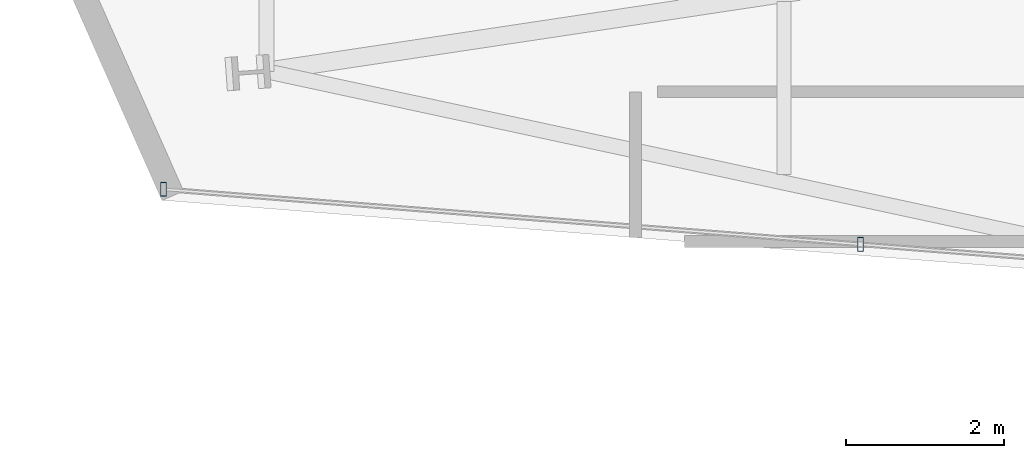
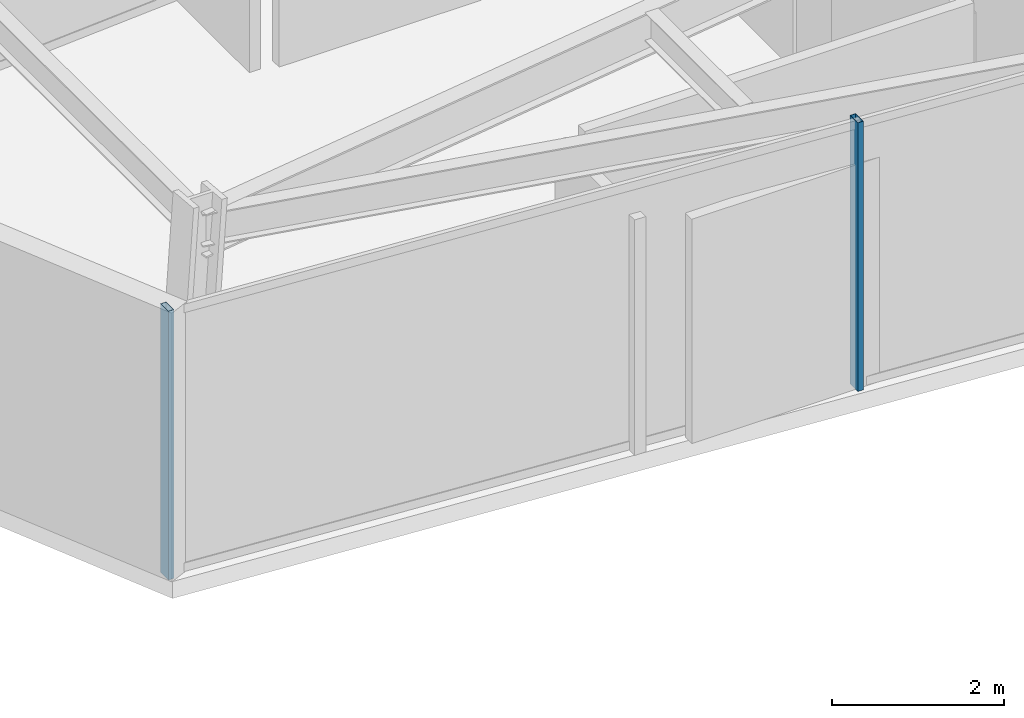
# One storey, part 2 of 25: 2 members, 1 element without a shape of its own.
"""IFC4 building model written with IfcOpenShell, lengths in metres."""

from ifc_helpers import new_model, si_unit, direction, frame, origin, origin_2d, place, context, subcontext, project, spatial, hollow_rectangle, extrude, material, layer, layer_set, material_profile, profile_set, type_object, element, aggregate, save


model = new_model("IFC4")

# Units and contexts
model_context = context("Model", 3, precision=1e-05, world=origin(), true_north=direction((0.0, 1.0)))
body_context = subcontext(model_context, "Body", "Model", "MODEL_VIEW")
ifc_project = project(units=[si_unit("LENGTHUNIT", "METRE"), si_unit("AREAUNIT", "SQUARE_METRE"), si_unit("VOLUMEUNIT", "CUBIC_METRE"), si_unit("PLANEANGLEUNIT", "RADIAN"), si_unit("MASSUNIT", "GRAM", prefix="KILO")], contexts=[model_context])

# Site, building, storey
site_placement = place(None, origin())
site = spatial("IfcSite", under=ifc_project, at=site_placement, CompositionType="ELEMENT")
building_placement = place(site_placement, origin())
building = spatial("IfcBuilding", under=site, at=building_placement, Name="Veymaron Broadcast Tower", CompositionType="ELEMENT")
storey_placement = place(building_placement, frame((0.0, 0.0, 82.35009765625)))
storey = spatial("IfcBuildingStorey", under=building, at=storey_placement, Name="L18", CompositionType="ELEMENT", Elevation=82.35009765625)

# Curtain wall, members
ifc_material_1 = material(Name="Anodised aluminium AA 6063-T6 and laminated low-E dark glass", Category="aluminium")
ifc_layer = layer(ifc_material_1, 0.179931640625)
ifc_layer_set = layer_set([ifc_layer], Name="Anodised aluminium AA 6063-T6 and laminated low-E dark glass")
curtain_wall_type = type_object("IfcCurtainWallType", Name="CW-SYS-02", PredefinedType="NOTDEFINED", material=ifc_layer_set)
curtain_wall_placement = place(storey_placement, origin())
curtain_wall = element("IfcCurtainWall", 1, at=curtain_wall_placement, inside=storey, type_object=curtain_wall_type, Name="L18 dark-glass curtain wall CW-L18-E14-1", PredefinedType="NOTDEFINED")
ifc_material_2 = material(Name="Anodised aluminium AA 6063-T6", Category="aluminium")
ifc_material_profile = material_profile(ifc_material_2, hollow_rectangle(XDim=0.074951171875, YDim=0.179931640625, WallThickness=0.0048828125, at=origin_2d()), Name="AL180X75X5")
ifc_profile_set = profile_set([ifc_material_profile], Name="Anodised aluminium AA 6063-T6")
member_type = type_object("IfcMemberType", Name="CW-MUL-02", PredefinedType="MULLION", material=ifc_profile_set)
member_1_placement = place(storey_placement, frame((8.010986328125, 19.212646484375, 0.0), z_axis=(0.0, 0.0, 1.0), x_axis=(1.0, 0.0, 0.0)))
member_1 = element("IfcMember", 2, at=member_1_placement, type_object=member_type, Name="CW-L18-E14-1 mullion 0", PredefinedType="MULLION", context=body_context, shape_type="SweptSolid", body=[
    extrude(hollow_rectangle(XDim=0.074951171875, YDim=0.179931640625, WallThickness=0.0048828125, at=origin_2d()), origin(), (0.0, 0.0, 1.0), 3.809814453125),
])
member_2_placement = place(storey_placement, frame((16.85498046875, 18.513916015625, 0.0), z_axis=(0.0, 0.0, 1.0), x_axis=(1.0, 0.0, 0.0)))
member_2 = element("IfcMember", 3, at=member_2_placement, type_object=member_type, Name="CW-L18-E14-1 mullion 1", PredefinedType="MULLION", context=body_context, shape_type="SweptSolid", body=[
    extrude(hollow_rectangle(XDim=0.074951171875, YDim=0.179931640625, WallThickness=0.0048828125, at=origin_2d()), origin(), (0.0, 0.0, 1.0), 3.809814453125),
])
aggregate(curtain_wall, [member_1, member_2])

save(model, "model.ifc")
